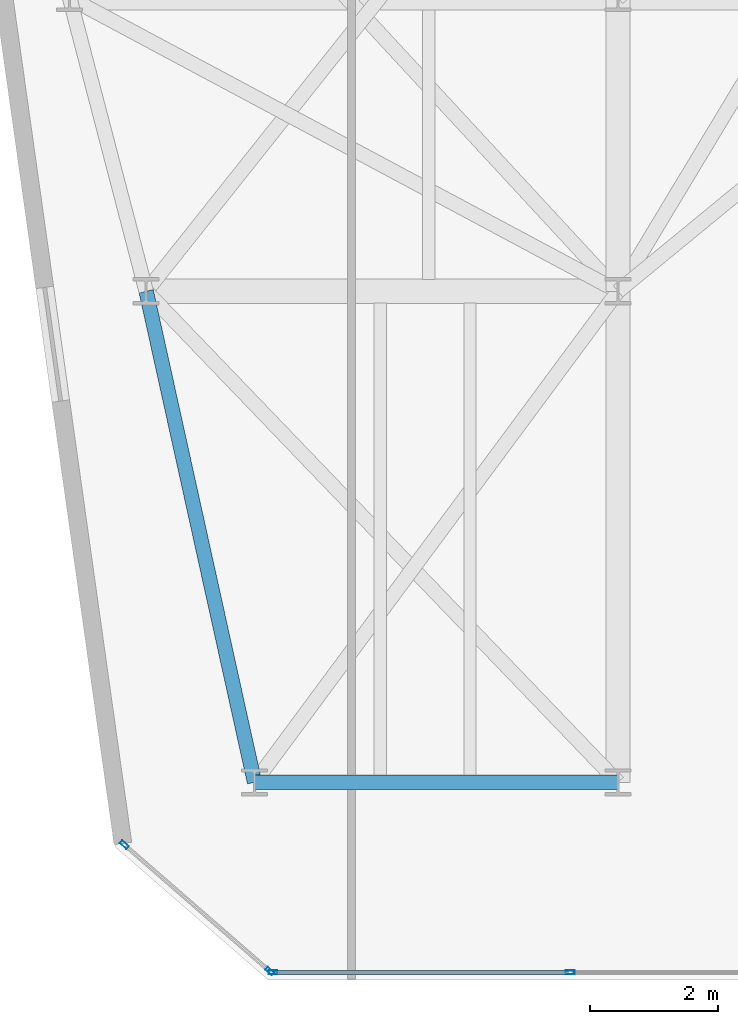
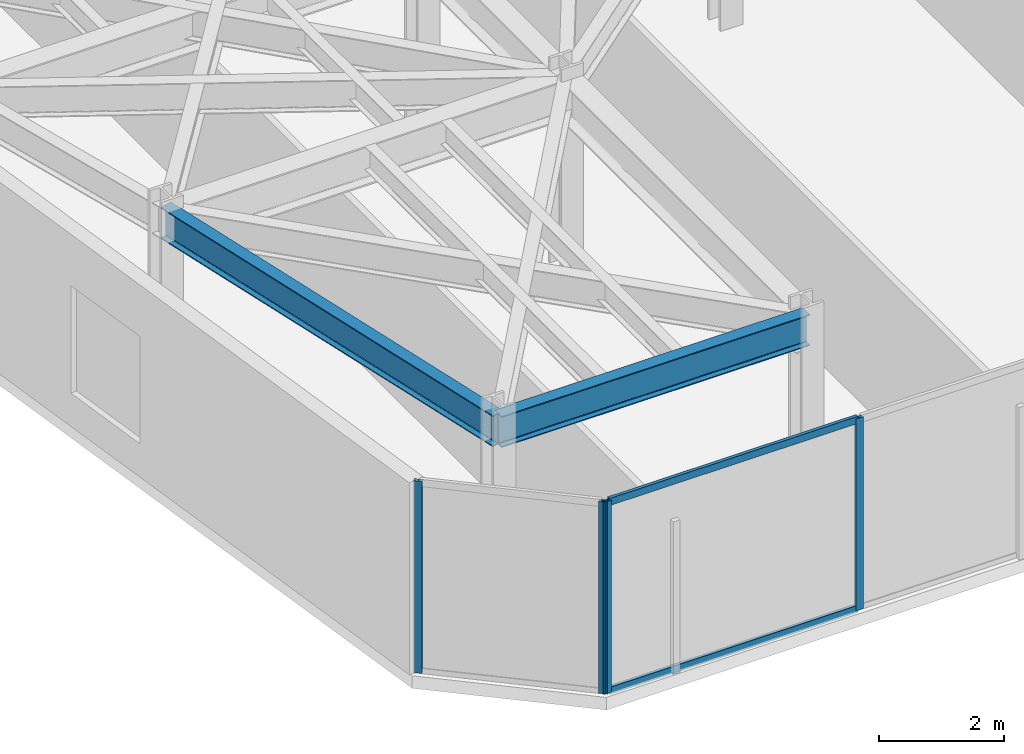
# One storey, part 2 of 21: 6 members, 2 beams, 2 elements without a shape of their own.
"""IFC4 building model written with IfcOpenShell, lengths in metres."""

import ifcopenshell
import ifcopenshell.guid

model = None  # the IFC model being written
_history = None  # IfcOwnerHistory: only IFC2X3 demands one
_inside = {}  # id of a spatial element -> (the spatial element, [elements in it])
_under = {}  # id of a project, library or spatial element -> (it, [spatial elements below it])
_declared = {}  # id of a project -> (the project, [libraries it declares])
_typed = {}  # id of a type object -> (the type object, [elements of that type])
_made_of = {}  # id of a material, layer set ... -> (it, [elements and type objects made of it])


def new_model(schema):
    """Start an empty IFC model of exactly this schema.

    Asked for "IFC4X3", IfcOpenShell would pick the latest addendum, in which some entities
    have other attributes; the version numbers below select the first issue.
    IFC2X3 requires an IfcOwnerHistory on every rooted entity: one is made here for all.
    """
    global model, _history
    if schema == "IFC4X3":
        model = ifcopenshell.file(schema_version=(4, 3, 0, 0))
    else:
        model = ifcopenshell.file(schema=schema)
    _inside.clear()
    _under.clear()
    _declared.clear()
    _typed.clear()
    _made_of.clear()
    _history = None
    if model.schema == "IFC2X3":
        org = make("IfcOrganization", Name="unknown")
        user = make(
            "IfcPersonAndOrganization",
            ThePerson=make("IfcPerson", FamilyName="unknown"),
            TheOrganization=org,
        )
        app = make(
            "IfcApplication",
            ApplicationDeveloper=org,
            Version="unknown",
            ApplicationFullName="unknown",
            ApplicationIdentifier="unknown",
        )
        _history = make(
            "IfcOwnerHistory",
            OwningUser=user,
            OwningApplication=app,
            ChangeAction="ADDED",
            CreationDate=0,
        )
    return model


def make(cls, **values):
    """One entity of the class cls with the attributes given. An attribute that is None is left unset."""
    return model.create_entity(
        cls, **{name: value for name, value in values.items() if value is not None}
    )


def rooted(cls, **values):
    """An entity with a GlobalId (a new one), such as an element, a storey or a relation."""
    return make(cls, GlobalId=ifcopenshell.guid.new(), OwnerHistory=_history, **values)


def si_unit(unit_type, name, prefix=None):
    """IfcSIUnit, for example si_unit("LENGTHUNIT", "METRE", prefix="MILLI")."""
    return make("IfcSIUnit", UnitType=unit_type, Prefix=prefix, Name=name)


def assignment(units):
    """IfcUnitAssignment: the units of a project."""
    return None if units is None else make("IfcUnitAssignment", Units=units)


def point(xyz):
    """IfcCartesianPoint."""
    return None if xyz is None else make("IfcCartesianPoint", Coordinates=xyz)


def direction(xyz):
    """IfcDirection."""
    return None if xyz is None else make("IfcDirection", DirectionRatios=xyz)


def frame(location, z_axis=None, x_axis=None):
    """IfcAxis2Placement3D, a coordinate frame: its origin and axes. An axis left out is left unset."""
    return make(
        "IfcAxis2Placement3D",
        Location=point(location),
        Axis=direction(z_axis),
        RefDirection=direction(x_axis),
    )


def frame_2d(location, x_axis=None):
    """IfcAxis2Placement2D, a coordinate frame in the plane: its origin and x axis."""
    return make(
        "IfcAxis2Placement2D", Location=point(location), RefDirection=direction(x_axis)
    )


def origin():
    """The frame at (0, 0, 0) with its axes left unset."""
    return frame((0.0, 0.0, 0.0))


def origin_2d():
    """The frame at (0, 0) in the plane with its x axis left unset."""
    return frame_2d((0.0, 0.0))


def place(relative_to, where):
    """IfcLocalPlacement: puts the frame where relative to a parent placement (None: the world)."""
    return make(
        "IfcLocalPlacement", PlacementRelTo=relative_to, RelativePlacement=where
    )


def context(
    kind, dimensions, precision=None, world=None, true_north=None, identifier=None
):
    """IfcGeometricRepresentationContext, for example the 3D "Model" context."""
    return make(
        "IfcGeometricRepresentationContext",
        ContextIdentifier=identifier,
        ContextType=kind,
        CoordinateSpaceDimension=dimensions,
        Precision=precision,
        WorldCoordinateSystem=world,
        TrueNorth=true_north,
    )


def subcontext(parent, identifier, kind, view, scale=None):
    """IfcGeometricRepresentationSubContext, for example "Body" below "Model"."""
    return make(
        "IfcGeometricRepresentationSubContext",
        ContextIdentifier=identifier,
        ContextType=kind,
        ParentContext=parent,
        TargetScale=scale,
        TargetView=view,
    )


def project(units=None, contexts=None):
    """IfcProject with its units and contexts."""
    return rooted(
        "IfcProject",
        Name="project",
        RepresentationContexts=contexts,
        UnitsInContext=assignment(units),
    )


def spatial(cls, under=None, at=None, **own):
    """A site, building, storey or space (cls), placed at a placement, below another one or the project."""
    s = rooted(cls, ObjectPlacement=at, **own)
    if under is not None:
        _under.setdefault(under.id(), (under, []))[1].append(s)
    return s


def profile(cls, at=None, kind="AREA", **sizes):
    """A parametric profile (cls). Its sizes go by their IFC names, for example OverallWidth=200.0."""
    return make(cls, ProfileType=kind, Position=at, **sizes)


def hollow_rectangle(**sizes):
    """IfcRectangleHollowProfileDef."""
    return profile("IfcRectangleHollowProfileDef", **sizes)


def i_section(**sizes):
    """IfcIShapeProfileDef."""
    return profile("IfcIShapeProfileDef", **sizes)


def extrude(swept, where, along, depth):
    """IfcExtrudedAreaSolid: the profile swept, set in the frame where, extruded along a direction by depth."""
    return make(
        "IfcExtrudedAreaSolid",
        SweptArea=swept,
        Position=where,
        ExtrudedDirection=direction(along),
        Depth=depth,
    )


def shape(context_of_items, identifier, shape_type, items):
    """IfcShapeRepresentation: the items that make up one representation, for example the "Body"."""
    return make(
        "IfcShapeRepresentation",
        ContextOfItems=context_of_items,
        RepresentationIdentifier=identifier,
        RepresentationType=shape_type,
        Items=items,
    )


def material(Name=None, Category=None):
    """IfcMaterial."""
    return make("IfcMaterial", Name=Name, Category=Category)


def layer(
    of_material, thickness, ventilated=None, Name=None, Category=None, Priority=None
):
    """IfcMaterialLayer: one layer of a wall or slab, of a material (None: an air gap)."""
    return make(
        "IfcMaterialLayer",
        Material=of_material,
        LayerThickness=thickness,
        IsVentilated=ventilated,
        Name=Name,
        Category=Category,
        Priority=Priority,
    )


def layer_set(layers, Name=None):
    """IfcMaterialLayerSet."""
    return make("IfcMaterialLayerSet", MaterialLayers=layers, LayerSetName=Name)


def material_profile(
    of_material, cross_section, Name=None, Category=None, Priority=None
):
    """IfcMaterialProfile: a cross section and its material."""
    return make(
        "IfcMaterialProfile",
        Name=Name,
        Material=of_material,
        Profile=cross_section,
        Priority=Priority,
        Category=Category,
    )


def profile_set(profiles, Name=None, composite=None):
    """IfcMaterialProfileSet."""
    return make(
        "IfcMaterialProfileSet",
        Name=Name,
        MaterialProfiles=profiles,
        CompositeProfile=composite,
    )


def made_of(thing, what):
    """Note that an element or type object is made of a material, layer set ...; save() writes the relation."""
    if what is not None:
        _made_of.setdefault(what.id(), (what, []))[1].append(thing)
    return thing


def type_object(cls, material=None, **own):
    """A type object (cls), such as IfcWallType, which elements share."""
    return made_of(rooted(cls, **own), material)


def element(
    cls,
    number,
    at=None,
    inside=None,
    cuts=None,
    type_object=None,
    material=None,
    context=None,
    identifier="Body",
    shape_type=None,
    held_by="IfcProductDefinitionShape",
    body=None,
    shapes=None,
    **own,
):
    """One element of the class cls, such as IfcWall. Its Tag is "e" and its number.

    at: its placement. inside: the storey or other place that contains it. cuts: it is an
    opening in that element (IfcRelVoidsElement). A single representation is given by context,
    identifier, shape_type and body (its items); several are given by shapes. held_by: the class
    of the entity that holds the representations. save() writes the other relations.
    """
    e = rooted(cls, Tag="e%d" % number, ObjectPlacement=at, **own)
    if body is not None:
        shapes = [shape(context, identifier, shape_type, body)]
    if shapes is not None:
        e.Representation = make(held_by, Representations=shapes)
    if inside is not None:
        _inside.setdefault(inside.id(), (inside, []))[1].append(e)
    if cuts is not None:
        rooted(
            "IfcRelVoidsElement", RelatingBuildingElement=cuts, RelatedOpeningElement=e
        )
    if type_object is not None:
        _typed.setdefault(type_object.id(), (type_object, []))[1].append(e)
    return made_of(e, material)


def aggregate(whole, parts):
    """IfcRelAggregates: a whole, such as a stair, and the parts it consists of."""
    return rooted("IfcRelAggregates", RelatingObject=whole, RelatedObjects=parts)


def save(model, path):
    """Write the relations noted so far, then the file.

    IfcRelAggregates (storeys below a building ...), IfcRelContainedInSpatialStructure (elements
    in a storey), IfcRelDefinesByType, IfcRelAssociatesMaterial and IfcRelDeclares: one each for
    every whole, place, type object, material and project.
    """
    for whole, parts in _under.values():
        aggregate(whole, parts)
    for where, things in _inside.values():
        rooted(
            "IfcRelContainedInSpatialStructure",
            RelatedElements=things,
            RelatingStructure=where,
        )
    for kind, things in _typed.values():
        rooted("IfcRelDefinesByType", RelatedObjects=things, RelatingType=kind)
    for what, things in _made_of.values():
        rooted("IfcRelAssociatesMaterial", RelatedObjects=things, RelatingMaterial=what)
    for by, libraries in _declared.values():
        rooted("IfcRelDeclares", RelatingContext=by, RelatedDefinitions=libraries)
    model.write(path)


model = new_model("IFC4")

# Units and contexts
model_context = context("Model", 3, precision=1e-05, world=origin(), true_north=direction((0.0, 1.0)))
body_context = subcontext(model_context, "Body", "Model", "MODEL_VIEW")
ifc_project = project(units=[si_unit("LENGTHUNIT", "METRE"), si_unit("AREAUNIT", "SQUARE_METRE"), si_unit("VOLUMEUNIT", "CUBIC_METRE"), si_unit("PLANEANGLEUNIT", "RADIAN"), si_unit("MASSUNIT", "GRAM", prefix="KILO")], contexts=[model_context])

# Site, building, storey
site_placement = place(None, origin())
site = spatial("IfcSite", under=ifc_project, at=site_placement, CompositionType="ELEMENT")
building_placement = place(site_placement, origin())
building = spatial("IfcBuilding", under=site, at=building_placement, Name="Kravanh Interchange Tower", CompositionType="ELEMENT")
storey_placement = place(building_placement, frame((0.0, 0.0, 184.5)))
storey = spatial("IfcBuildingStorey", under=building, at=storey_placement, Name="L44", CompositionType="ELEMENT", Elevation=184.5)

# Curtain wall, members
ifc_material_1 = material(Name="Anodised Bronze Aluminium", Category="aluminium")
ifc_layer = layer(ifc_material_1, 0.179931640625)
ifc_layer_set = layer_set([ifc_layer], Name="Unitised Curtain Wall System CW-Z3 Upper Office")
curtain_wall_type = type_object("IfcCurtainWallType", Name="Unitised Curtain Wall System CW-Z3 Upper Office", PredefinedType="NOTDEFINED", material=ifc_layer_set)
curtain_wall_1_placement = place(storey_placement, origin())
curtain_wall_1 = element("IfcCurtainWall", 1, at=curtain_wall_1_placement, inside=storey, type_object=curtain_wall_type, Name="L44 Unitised Curtain Wall CW-L44-05", PredefinedType="NOTDEFINED")
ifc_material_2 = material(Name="Anodised Bronze Aluminium", Category="aluminium")
ifc_material_profile_1 = material_profile(ifc_material_2, hollow_rectangle(XDim=0.06005859375, YDim=0.139892578125, WallThickness=0.00390625, at=origin_2d()), Name="ALU60X140X4")
ifc_profile_set_1 = profile_set([ifc_material_profile_1], Name="Anodised Bronze Aluminium")
member_type_1 = type_object("IfcMemberType", Name="Curtain Wall Mullion ALU60X140X4 Bronze", PredefinedType="MULLION", material=ifc_profile_set_1)
member_1_placement = place(storey_placement, frame((26.447998046875, 11.52001953125, 0.0), z_axis=(0.0, 0.0, 1.0), x_axis=(0.0, -1.0, 0.0)))
member_1 = element("IfcMember", 2, at=member_1_placement, type_object=member_type_1, Name="CW-Z3 mullion 2", PredefinedType="MULLION", context=body_context, shape_type="SweptSolid", body=[
    extrude(hollow_rectangle(XDim=0.06005859375, YDim=0.139892578125, WallThickness=0.00390625, at=origin_2d()), origin(), (0.0, 0.0, 1.0), 3.7548828125),
])
member_2_placement = place(storey_placement, frame((21.7890625, 11.52001953125, 0.0), z_axis=(0.0, 0.0, 1.0), x_axis=(0.0, -1.0, 0.0)))
member_2 = element("IfcMember", 3, at=member_2_placement, type_object=member_type_1, Name="CW-Z3 mullion 3", PredefinedType="MULLION", context=body_context, shape_type="SweptSolid", body=[
    extrude(hollow_rectangle(XDim=0.06005859375, YDim=0.139892578125, WallThickness=0.00390625, at=origin_2d()), origin(), (0.0, 0.0, 1.0), 3.7548828125),
])

curtain_wall_2_placement = place(storey_placement, origin())
curtain_wall_2 = element("IfcCurtainWall", 4, at=curtain_wall_2_placement, inside=storey, type_object=curtain_wall_type, Name="L44 Unitised Curtain Wall CW-L44-06", PredefinedType="NOTDEFINED")
member_3_placement = place(storey_placement, frame((21.736328125, 11.539794921875, 0.0), z_axis=(0.0, 0.0, 1.0), x_axis=(-0.65605090137, -0.754716645379, 0.0)))
member_3 = element("IfcMember", 5, at=member_3_placement, type_object=member_type_1, Name="CW-Z3 mullion 1", PredefinedType="MULLION", context=body_context, shape_type="SweptSolid", body=[
    extrude(hollow_rectangle(XDim=0.06005859375, YDim=0.139892578125, WallThickness=0.00390625, at=origin_2d()), origin(), (0.0, 0.0, 1.0), 3.7548828125),
])
member_4_placement = place(storey_placement, frame((19.45703125, 13.52099609375, 0.0), z_axis=(0.0, 0.0, 1.0), x_axis=(-0.65605090137, -0.754716645379, 0.0)))
member_4 = element("IfcMember", 6, at=member_4_placement, type_object=member_type_1, Name="CW-Z3 mullion 2", PredefinedType="MULLION", context=body_context, shape_type="SweptSolid", body=[
    extrude(hollow_rectangle(XDim=0.06005859375, YDim=0.139892578125, WallThickness=0.00390625, at=origin_2d()), origin(), (0.0, 0.0, 1.0), 3.7548828125),
])
aggregate(curtain_wall_2, [member_3, member_4])

# Member
ifc_material_3 = material(Name="Anodised Bronze Aluminium", Category="aluminium")
ifc_material_profile_2 = material_profile(ifc_material_3, hollow_rectangle(XDim=0.06005859375, YDim=0.139892578125, WallThickness=0.00390625, at=origin_2d()), Name="ALU60X140X4")
ifc_profile_set_2 = profile_set([ifc_material_profile_2], Name="Anodised Bronze Aluminium")
member_type_2 = type_object("IfcMemberType", Name="Curtain Wall Transom ALU60X140X4 Bronze", PredefinedType="USERDEFINED", material=ifc_profile_set_2)
member_5_placement = place(storey_placement, frame((26.41796875, 11.52001953125, 0.030029296875), z_axis=(-1.0, 0.0, 0.0), x_axis=(0.0, -1.0, 0.0)))
member_5 = element("IfcMember", 7, at=member_5_placement, type_object=member_type_2, Name="CW-Z3 transom 2.1", ObjectType="TRANSOM", PredefinedType="USERDEFINED", context=body_context, shape_type="SweptSolid", body=[
    extrude(hollow_rectangle(XDim=0.06005859375, YDim=0.139892578125, WallThickness=0.00390625, at=origin_2d()), origin(), (0.0, 0.0, 1.0), 4.598876953125),
])

member_6_placement = place(storey_placement, frame((26.41796875, 11.52001953125, 3.72509765625), z_axis=(-1.0, 0.0, 0.0), x_axis=(0.0, -1.0, 0.0)))
member_6 = element("IfcMember", 8, at=member_6_placement, type_object=member_type_2, Name="CW-Z3 transom 2.2", ObjectType="TRANSOM", PredefinedType="USERDEFINED", context=body_context, shape_type="SweptSolid", body=[
    extrude(hollow_rectangle(XDim=0.06005859375, YDim=0.139892578125, WallThickness=0.00390625, at=origin_2d()), origin(), (0.0, 0.0, 1.0), 4.598876953125),
])

aggregate(curtain_wall_1, [member_1, member_2, member_5, member_6])

# Beams
ifc_material_4 = material(Name="Structural Steel S355", Category="steel")
ifc_material_profile_3 = material_profile(ifc_material_4, i_section(OverallWidth=0.22802734375, OverallDepth=0.60791015625, WebThickness=0.01123046875, FlangeThickness=0.017333984375, FilletRadius=0.02197265625, at=origin_2d()), Name="W24X76")
ifc_profile_set_3 = profile_set([ifc_material_profile_3], Name="Structural Steel S355")
beam_type = type_object("IfcBeamType", Name="Floor Spandrel W24X76 Structural Steel S355", PredefinedType="SPANDREL", material=ifc_profile_set_3)
beam_1_placement = place(storey_placement, frame((21.5, 14.5, 3.450927734375), z_axis=(1.0, 0.0, 0.0), x_axis=(0.0, 1.0, 0.0)))
element("IfcBeam", 9, at=beam_1_placement, inside=storey, type_object=beam_type, Name="L44 Perimeter Spandrel 30", PredefinedType="SPANDREL", context=body_context, shape_type="SweptSolid", body=[
    extrude(i_section(OverallWidth=0.22802734375, OverallDepth=0.60791015625, WebThickness=0.01123046875, FlangeThickness=0.017333984375, FilletRadius=0.02197265625, at=origin_2d()), origin(), (0.0, 0.0, 1.0), 5.699951171875),
])
beam_2_placement = place(storey_placement, frame((21.5, 14.5, 3.450927734375), z_axis=(-0.215582892261, 0.976485543449, 0.0), x_axis=(-0.976485543449, -0.215582892261, 0.0)))
element("IfcBeam", 10, at=beam_2_placement, inside=storey, type_object=beam_type, Name="L44 Perimeter Spandrel 31", PredefinedType="SPANDREL", context=body_context, shape_type="SweptSolid", body=[
    extrude(i_section(OverallWidth=0.22802734375, OverallDepth=0.60791015625, WebThickness=0.01123046875, FlangeThickness=0.017333984375, FilletRadius=0.02197265625, at=origin_2d()), origin(), (0.0, 0.0, 1.0), 7.88525390625),
])

save(model, "model.ifc")
